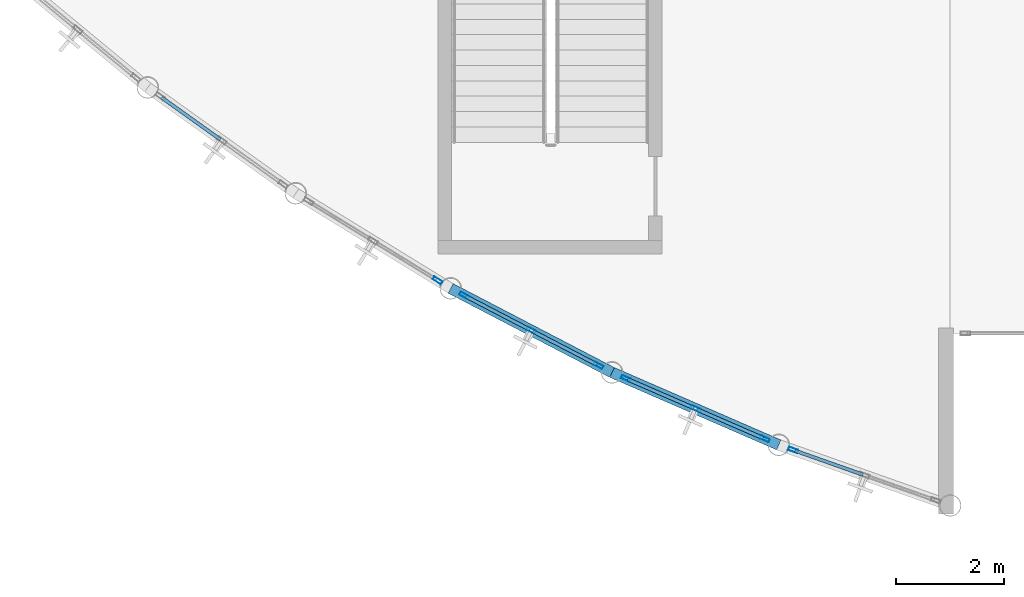
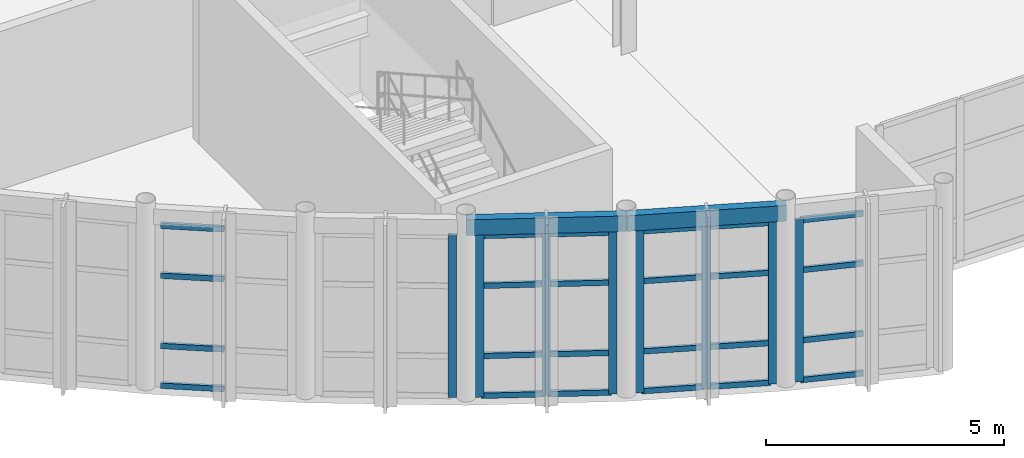
# One storey, part 18 of 105: 32 members, 2 beams, 5 elements without a shape of their own.
"""IFC4 building model written with IfcOpenShell, lengths in metres."""

from ifc_helpers import new_model, si_unit, direction, frame, origin, origin_2d, place, context, subcontext, project, spatial, hollow_rectangle, extrude, material, layer, layer_set, material_profile, profile_set, type_object, element, aggregate, save


model = new_model("IFC4")

# Units and contexts
model_context = context("Model", 3, precision=1e-05, world=origin(), true_north=direction((0.0, 1.0)))
body_context = subcontext(model_context, "Body", "Model", "MODEL_VIEW")
ifc_project = project(units=[si_unit("LENGTHUNIT", "METRE"), si_unit("AREAUNIT", "SQUARE_METRE"), si_unit("VOLUMEUNIT", "CUBIC_METRE"), si_unit("PLANEANGLEUNIT", "RADIAN"), si_unit("MASSUNIT", "GRAM", prefix="KILO")], contexts=[model_context])

# Site, building, storey
site_placement = place(None, origin())
site = spatial("IfcSite", under=ifc_project, at=site_placement, CompositionType="ELEMENT")
building_placement = place(site_placement, origin())
building = spatial("IfcBuilding", under=site, at=building_placement, Name="Selat Folded Stagehouse", CompositionType="ELEMENT")
storey_placement = place(building_placement, frame((0.0, 0.0, 10.199951171875)))
storey = spatial("IfcBuildingStorey", under=building, at=storey_placement, Name="L02", CompositionType="ELEMENT", Elevation=10.199951171875)

# Curtain wall, member
ifc_material_1 = material(Name="Aluminium 6063-T6", Category="aluminium")
ifc_layer = layer(ifc_material_1, 0.199951171875)
ifc_layer_set = layer_set([ifc_layer], Name="Aluminium 6063-T6")
curtain_wall_type = type_object("IfcCurtainWallType", Name="CW-DRM-MID", PredefinedType="NOTDEFINED", material=ifc_layer_set)
curtain_wall_1_placement = place(storey_placement, origin())
curtain_wall_1 = element("IfcCurtainWall", 1, at=curtain_wall_1_placement, inside=storey, type_object=curtain_wall_type, Name="L02 curtain wall CW-DRM-L02-16", PredefinedType="NOTDEFINED")
ifc_material_profile_1 = material_profile(ifc_material_1, hollow_rectangle(XDim=0.06494140625, YDim=0.179931640625, WallThickness=0.00390625, at=origin_2d()), Name="ALU 180x65x4.0")
ifc_profile_set_1 = profile_set([ifc_material_profile_1], Name="Aluminium 6063-T6")
member_type_1 = type_object("IfcMemberType", Name="CWM-MUL-180x65", PredefinedType="MULLION", material=ifc_profile_set_1)
member_1_placement = place(storey_placement, frame((24.10498046875, 6.380859375, 0.0), z_axis=(0.0, 0.0, 1.0), x_axis=(-0.523025427755, -0.852317078277, 0.0)))
member_1 = element("IfcMember", 2, at=member_1_placement, type_object=member_type_1, Name="CW-02 mullion 1", PredefinedType="MULLION", context=body_context, shape_type="SweptSolid", body=[
    extrude(hollow_rectangle(XDim=0.06494140625, YDim=0.179931640625, WallThickness=0.00390625, at=origin_2d()), origin(), (0.0, 0.0, 1.0), 4.16015625),
])
aggregate(curtain_wall_1, [member_1])

# Curtain wall, members
curtain_wall_2_placement = place(storey_placement, origin())
curtain_wall_2 = element("IfcCurtainWall", 3, at=curtain_wall_2_placement, inside=storey, type_object=curtain_wall_type, Name="L02 curtain wall CW-DRM-L02-17", PredefinedType="NOTDEFINED")
member_2_placement = place(storey_placement, frame((27.083251953125, 4.80712890625, 0.0), z_axis=(0.0, 0.0, 1.0), x_axis=(-0.461930991659, -0.886915869147, 0.0)))
member_2 = element("IfcMember", 4, at=member_2_placement, type_object=member_type_1, Name="CW-02 mullion 1", PredefinedType="MULLION", context=body_context, shape_type="SweptSolid", body=[
    extrude(hollow_rectangle(XDim=0.06494140625, YDim=0.179931640625, WallThickness=0.00390625, at=origin_2d()), origin(), (0.0, 0.0, 1.0), 4.16015625),
])
member_3_placement = place(storey_placement, frame((25.83984375, 5.454833984375, 0.0), z_axis=(0.0, 0.0, 1.0), x_axis=(-0.461930991659, -0.886915869147, 0.0)))
member_3 = element("IfcMember", 5, at=member_3_placement, type_object=member_type_1, Name="CW-02 mullion 2", PredefinedType="MULLION", context=body_context, shape_type="SweptSolid", body=[
    extrude(hollow_rectangle(XDim=0.06494140625, YDim=0.179931640625, WallThickness=0.00390625, at=origin_2d()), origin(), (0.0, 0.0, 1.0), 4.16015625),
])
member_4_placement = place(storey_placement, frame((24.596435546875, 6.1025390625, 0.0), z_axis=(0.0, 0.0, 1.0), x_axis=(-0.461930991659, -0.886915869147, 0.0)))
member_4 = element("IfcMember", 6, at=member_4_placement, type_object=member_type_1, Name="CW-02 mullion 3", PredefinedType="MULLION", context=body_context, shape_type="SweptSolid", body=[
    extrude(hollow_rectangle(XDim=0.06494140625, YDim=0.179931640625, WallThickness=0.00390625, at=origin_2d()), origin(), (0.0, 0.0, 1.0), 4.16015625),
])

curtain_wall_3_placement = place(storey_placement, origin())
curtain_wall_3 = element("IfcCurtainWall", 7, at=curtain_wall_3_placement, inside=storey, type_object=curtain_wall_type, Name="L02 curtain wall CW-DRM-L02-18", PredefinedType="NOTDEFINED")
member_5_placement = place(storey_placement, frame((30.16455078125, 3.446533203125, 0.0), z_axis=(0.0, 0.0, 1.0), x_axis=(-0.39857953336, -0.917133771915, 0.0)))
member_5 = element("IfcMember", 8, at=member_5_placement, type_object=member_type_1, Name="CW-02 mullion 1", PredefinedType="MULLION", context=body_context, shape_type="SweptSolid", body=[
    extrude(hollow_rectangle(XDim=0.06494140625, YDim=0.179931640625, WallThickness=0.00390625, at=origin_2d()), origin(), (0.0, 0.0, 1.0), 4.16015625),
])
member_6_placement = place(storey_placement, frame((28.878662109375, 4.00537109375, 0.0), z_axis=(0.0, 0.0, 1.0), x_axis=(-0.39857953336, -0.917133771915, 0.0)))
member_6 = element("IfcMember", 9, at=member_6_placement, type_object=member_type_1, Name="CW-02 mullion 2", PredefinedType="MULLION", context=body_context, shape_type="SweptSolid", body=[
    extrude(hollow_rectangle(XDim=0.06494140625, YDim=0.179931640625, WallThickness=0.00390625, at=origin_2d()), origin(), (0.0, 0.0, 1.0), 4.16015625),
])
member_7_placement = place(storey_placement, frame((27.593017578125, 4.56396484375, 0.0), z_axis=(0.0, 0.0, 1.0), x_axis=(-0.39857953336, -0.917133771915, 0.0)))
member_7 = element("IfcMember", 10, at=member_7_placement, type_object=member_type_1, Name="CW-02 mullion 3", PredefinedType="MULLION", context=body_context, shape_type="SweptSolid", body=[
    extrude(hollow_rectangle(XDim=0.06494140625, YDim=0.179931640625, WallThickness=0.00390625, at=origin_2d()), origin(), (0.0, 0.0, 1.0), 4.16015625),
])

# Curtain wall, member
curtain_wall_4_placement = place(storey_placement, origin())
curtain_wall_4 = element("IfcCurtainWall", 11, at=curtain_wall_4_placement, inside=storey, type_object=curtain_wall_type, Name="L02 curtain wall CW-DRM-L02-19", PredefinedType="NOTDEFINED")
member_8_placement = place(storey_placement, frame((30.68994140625, 3.23974609375, 0.0), z_axis=(0.0, 0.0, 1.0), x_axis=(-0.333314148838, -0.942815824106, 0.0)))
member_8 = element("IfcMember", 12, at=member_8_placement, type_object=member_type_1, Name="CW-02 mullion 3", PredefinedType="MULLION", context=body_context, shape_type="SweptSolid", body=[
    extrude(hollow_rectangle(XDim=0.06494140625, YDim=0.179931640625, WallThickness=0.00390625, at=origin_2d()), origin(), (0.0, 0.0, 1.0), 4.16015625),
])

# Curtain wall, members
curtain_wall_5_placement = place(storey_placement, origin())
curtain_wall_5 = element("IfcCurtainWall", 13, at=curtain_wall_5_placement, inside=storey, type_object=curtain_wall_type, Name="L02 curtain wall CW-DRM-L02-15", PredefinedType="NOTDEFINED")
ifc_material_profile_2 = material_profile(ifc_material_1, hollow_rectangle(XDim=0.06494140625, YDim=0.139892578125, WallThickness=0.00390625, at=origin_2d()), Name="ALU 140x65x4.0")
ifc_profile_set_2 = profile_set([ifc_material_profile_2], Name="Aluminium 6063-T6")
member_type_2 = type_object("IfcMemberType", Name="CWM-TRN-140x65", PredefinedType="USERDEFINED", material=ifc_profile_set_2)
member_9_placement = place(storey_placement, frame((20.07763671875, 8.99365234375, 0.032470703125), z_axis=(-0.813573030575, 0.581462745084, 0.0), x_axis=(-0.581462745084, -0.813573030575, 0.0)))
member_9 = element("IfcMember", 14, at=member_9_placement, type_object=member_type_2, Name="CW-02 transom 2.1", ObjectType="TRANSOM", PredefinedType="USERDEFINED", context=body_context, shape_type="SweptSolid", body=[
    extrude(hollow_rectangle(XDim=0.06494140625, YDim=0.139892578125, WallThickness=0.00390625, at=origin_2d()), origin(), (0.0, 0.0, 1.0), 1.3369140625),
])
member_10_placement = place(storey_placement, frame((20.07763671875, 8.99365234375, 1.050048828125), z_axis=(-0.813573030575, 0.581462745084, 0.0), x_axis=(-0.581462745084, -0.813573030575, 0.0)))
member_10 = element("IfcMember", 15, at=member_10_placement, type_object=member_type_2, Name="CW-02 transom 2.2", ObjectType="TRANSOM", PredefinedType="USERDEFINED", context=body_context, shape_type="SweptSolid", body=[
    extrude(hollow_rectangle(XDim=0.06494140625, YDim=0.139892578125, WallThickness=0.00390625, at=origin_2d()), origin(), (0.0, 0.0, 1.0), 1.3369140625),
])
member_11_placement = place(storey_placement, frame((20.07763671875, 8.99365234375, 2.85009765625), z_axis=(-0.813573030575, 0.581462745084, 0.0), x_axis=(-0.581462745084, -0.813573030575, 0.0)))
member_11 = element("IfcMember", 16, at=member_11_placement, type_object=member_type_2, Name="CW-02 transom 2.3", ObjectType="TRANSOM", PredefinedType="USERDEFINED", context=body_context, shape_type="SweptSolid", body=[
    extrude(hollow_rectangle(XDim=0.06494140625, YDim=0.139892578125, WallThickness=0.00390625, at=origin_2d()), origin(), (0.0, 0.0, 1.0), 1.3369140625),
])
member_12_placement = place(storey_placement, frame((20.07763671875, 8.99365234375, 4.12744140625), z_axis=(-0.813573030575, 0.581462745084, 0.0), x_axis=(-0.581462745084, -0.813573030575, 0.0)))
member_12 = element("IfcMember", 17, at=member_12_placement, type_object=member_type_2, Name="CW-02 transom 2.4", ObjectType="TRANSOM", PredefinedType="USERDEFINED", context=body_context, shape_type="SweptSolid", body=[
    extrude(hollow_rectangle(XDim=0.06494140625, YDim=0.139892578125, WallThickness=0.00390625, at=origin_2d()), origin(), (0.0, 0.0, 1.0), 1.3369140625),
])
aggregate(curtain_wall_5, [member_9, member_10, member_11, member_12])

# Member
member_13_placement = place(storey_placement, frame((27.054443359375, 4.822265625, 0.032470703125), z_axis=(-0.886890704679, 0.461979304681, 0.0), x_axis=(-0.461979304681, -0.886890704679, 0.0)))
member_13 = element("IfcMember", 18, at=member_13_placement, type_object=member_type_2, Name="CW-02 transom 1.1", ObjectType="TRANSOM", PredefinedType="USERDEFINED", context=body_context, shape_type="SweptSolid", body=[
    extrude(hollow_rectangle(XDim=0.06494140625, YDim=0.139892578125, WallThickness=0.00390625, at=origin_2d()), origin(), (0.0, 0.0, 1.0), 1.3369140625),
])

member_14_placement = place(storey_placement, frame((27.054443359375, 4.822265625, 1.050048828125), z_axis=(-0.886890704679, 0.461979304681, 0.0), x_axis=(-0.461979304681, -0.886890704679, 0.0)))
member_14 = element("IfcMember", 19, at=member_14_placement, type_object=member_type_2, Name="CW-02 transom 1.2", ObjectType="TRANSOM", PredefinedType="USERDEFINED", context=body_context, shape_type="SweptSolid", body=[
    extrude(hollow_rectangle(XDim=0.06494140625, YDim=0.139892578125, WallThickness=0.00390625, at=origin_2d()), origin(), (0.0, 0.0, 1.0), 1.3369140625),
])

member_15_placement = place(storey_placement, frame((27.054443359375, 4.822265625, 2.85009765625), z_axis=(-0.886890704679, 0.461979304681, 0.0), x_axis=(-0.461979304681, -0.886890704679, 0.0)))
member_15 = element("IfcMember", 20, at=member_15_placement, type_object=member_type_2, Name="CW-02 transom 1.3", ObjectType="TRANSOM", PredefinedType="USERDEFINED", context=body_context, shape_type="SweptSolid", body=[
    extrude(hollow_rectangle(XDim=0.06494140625, YDim=0.139892578125, WallThickness=0.00390625, at=origin_2d()), origin(), (0.0, 0.0, 1.0), 1.3369140625),
])

member_16_placement = place(storey_placement, frame((27.054443359375, 4.822265625, 4.12744140625), z_axis=(-0.886890704679, 0.461979304681, 0.0), x_axis=(-0.461979304681, -0.886890704679, 0.0)))
member_16 = element("IfcMember", 21, at=member_16_placement, type_object=member_type_2, Name="CW-02 transom 1.4", ObjectType="TRANSOM", PredefinedType="USERDEFINED", context=body_context, shape_type="SweptSolid", body=[
    extrude(hollow_rectangle(XDim=0.06494140625, YDim=0.139892578125, WallThickness=0.00390625, at=origin_2d()), origin(), (0.0, 0.0, 1.0), 1.3369140625),
])

member_17_placement = place(storey_placement, frame((25.81103515625, 5.469970703125, 0.032470703125), z_axis=(-0.886965515382, 0.461835657484, 0.0), x_axis=(-0.461835657484, -0.886965515382, 0.0)))
member_17 = element("IfcMember", 22, at=member_17_placement, type_object=member_type_2, Name="CW-02 transom 2.1", ObjectType="TRANSOM", PredefinedType="USERDEFINED", context=body_context, shape_type="SweptSolid", body=[
    extrude(hollow_rectangle(XDim=0.06494140625, YDim=0.139892578125, WallThickness=0.00390625, at=origin_2d()), origin(), (0.0, 0.0, 1.0), 1.3369140625),
])

member_18_placement = place(storey_placement, frame((25.81103515625, 5.469970703125, 1.050048828125), z_axis=(-0.886965515382, 0.461835657484, 0.0), x_axis=(-0.461835657484, -0.886965515382, 0.0)))
member_18 = element("IfcMember", 23, at=member_18_placement, type_object=member_type_2, Name="CW-02 transom 2.2", ObjectType="TRANSOM", PredefinedType="USERDEFINED", context=body_context, shape_type="SweptSolid", body=[
    extrude(hollow_rectangle(XDim=0.06494140625, YDim=0.139892578125, WallThickness=0.00390625, at=origin_2d()), origin(), (0.0, 0.0, 1.0), 1.3369140625),
])

member_19_placement = place(storey_placement, frame((25.81103515625, 5.469970703125, 2.85009765625), z_axis=(-0.886965515382, 0.461835657484, 0.0), x_axis=(-0.461835657484, -0.886965515382, 0.0)))
member_19 = element("IfcMember", 24, at=member_19_placement, type_object=member_type_2, Name="CW-02 transom 2.3", ObjectType="TRANSOM", PredefinedType="USERDEFINED", context=body_context, shape_type="SweptSolid", body=[
    extrude(hollow_rectangle(XDim=0.06494140625, YDim=0.139892578125, WallThickness=0.00390625, at=origin_2d()), origin(), (0.0, 0.0, 1.0), 1.3369140625),
])

member_20_placement = place(storey_placement, frame((25.81103515625, 5.469970703125, 4.12744140625), z_axis=(-0.886965515382, 0.461835657484, 0.0), x_axis=(-0.461835657484, -0.886965515382, 0.0)))
member_20 = element("IfcMember", 25, at=member_20_placement, type_object=member_type_2, Name="CW-02 transom 2.4", ObjectType="TRANSOM", PredefinedType="USERDEFINED", context=body_context, shape_type="SweptSolid", body=[
    extrude(hollow_rectangle(XDim=0.06494140625, YDim=0.139892578125, WallThickness=0.00390625, at=origin_2d()), origin(), (0.0, 0.0, 1.0), 1.3369140625),
])

aggregate(curtain_wall_2, [member_2, member_3, member_4, member_13, member_14, member_15, member_16, member_17, member_18, member_19, member_20])

member_21_placement = place(storey_placement, frame((30.134765625, 3.45947265625, 0.032470703125), z_axis=(-0.917197741819, 0.398432305922, 0.0), x_axis=(-0.398432305922, -0.917197741819, 0.0)))
member_21 = element("IfcMember", 26, at=member_21_placement, type_object=member_type_2, Name="CW-02 transom 1.1", ObjectType="TRANSOM", PredefinedType="USERDEFINED", context=body_context, shape_type="SweptSolid", body=[
    extrude(hollow_rectangle(XDim=0.06494140625, YDim=0.139892578125, WallThickness=0.00390625, at=origin_2d()), origin(), (0.0, 0.0, 1.0), 1.3369140625),
])

member_22_placement = place(storey_placement, frame((30.134765625, 3.45947265625, 1.050048828125), z_axis=(-0.917197741819, 0.398432305922, 0.0), x_axis=(-0.398432305922, -0.917197741819, 0.0)))
member_22 = element("IfcMember", 27, at=member_22_placement, type_object=member_type_2, Name="CW-02 transom 1.2", ObjectType="TRANSOM", PredefinedType="USERDEFINED", context=body_context, shape_type="SweptSolid", body=[
    extrude(hollow_rectangle(XDim=0.06494140625, YDim=0.139892578125, WallThickness=0.00390625, at=origin_2d()), origin(), (0.0, 0.0, 1.0), 1.3369140625),
])

member_23_placement = place(storey_placement, frame((30.134765625, 3.45947265625, 2.85009765625), z_axis=(-0.917197741819, 0.398432305922, 0.0), x_axis=(-0.398432305922, -0.917197741819, 0.0)))
member_23 = element("IfcMember", 28, at=member_23_placement, type_object=member_type_2, Name="CW-02 transom 1.3", ObjectType="TRANSOM", PredefinedType="USERDEFINED", context=body_context, shape_type="SweptSolid", body=[
    extrude(hollow_rectangle(XDim=0.06494140625, YDim=0.139892578125, WallThickness=0.00390625, at=origin_2d()), origin(), (0.0, 0.0, 1.0), 1.3369140625),
])

member_24_placement = place(storey_placement, frame((30.134765625, 3.45947265625, 4.12744140625), z_axis=(-0.917197741819, 0.398432305922, 0.0), x_axis=(-0.398432305922, -0.917197741819, 0.0)))
member_24 = element("IfcMember", 29, at=member_24_placement, type_object=member_type_2, Name="CW-02 transom 1.4", ObjectType="TRANSOM", PredefinedType="USERDEFINED", context=body_context, shape_type="SweptSolid", body=[
    extrude(hollow_rectangle(XDim=0.06494140625, YDim=0.139892578125, WallThickness=0.00390625, at=origin_2d()), origin(), (0.0, 0.0, 1.0), 1.3369140625),
])

member_25_placement = place(storey_placement, frame((28.848876953125, 4.018310546875, 0.032470703125), z_axis=(-0.91716874716, 0.398499045461, 0.0), x_axis=(-0.398499045461, -0.91716874716, 0.0)))
member_25 = element("IfcMember", 30, at=member_25_placement, type_object=member_type_2, Name="CW-02 transom 2.1", ObjectType="TRANSOM", PredefinedType="USERDEFINED", context=body_context, shape_type="SweptSolid", body=[
    extrude(hollow_rectangle(XDim=0.06494140625, YDim=0.139892578125, WallThickness=0.00390625, at=origin_2d()), origin(), (0.0, 0.0, 1.0), 1.3369140625),
])

member_26_placement = place(storey_placement, frame((28.848876953125, 4.018310546875, 1.050048828125), z_axis=(-0.91716874716, 0.398499045461, 0.0), x_axis=(-0.398499045461, -0.91716874716, 0.0)))
member_26 = element("IfcMember", 31, at=member_26_placement, type_object=member_type_2, Name="CW-02 transom 2.2", ObjectType="TRANSOM", PredefinedType="USERDEFINED", context=body_context, shape_type="SweptSolid", body=[
    extrude(hollow_rectangle(XDim=0.06494140625, YDim=0.139892578125, WallThickness=0.00390625, at=origin_2d()), origin(), (0.0, 0.0, 1.0), 1.3369140625),
])

member_27_placement = place(storey_placement, frame((28.848876953125, 4.018310546875, 2.85009765625), z_axis=(-0.91716874716, 0.398499045461, 0.0), x_axis=(-0.398499045461, -0.91716874716, 0.0)))
member_27 = element("IfcMember", 32, at=member_27_placement, type_object=member_type_2, Name="CW-02 transom 2.3", ObjectType="TRANSOM", PredefinedType="USERDEFINED", context=body_context, shape_type="SweptSolid", body=[
    extrude(hollow_rectangle(XDim=0.06494140625, YDim=0.139892578125, WallThickness=0.00390625, at=origin_2d()), origin(), (0.0, 0.0, 1.0), 1.3369140625),
])

member_28_placement = place(storey_placement, frame((28.848876953125, 4.018310546875, 4.12744140625), z_axis=(-0.91716874716, 0.398499045461, 0.0), x_axis=(-0.398499045461, -0.91716874716, 0.0)))
member_28 = element("IfcMember", 33, at=member_28_placement, type_object=member_type_2, Name="CW-02 transom 2.4", ObjectType="TRANSOM", PredefinedType="USERDEFINED", context=body_context, shape_type="SweptSolid", body=[
    extrude(hollow_rectangle(XDim=0.06494140625, YDim=0.139892578125, WallThickness=0.00390625, at=origin_2d()), origin(), (0.0, 0.0, 1.0), 1.3369140625),
])

aggregate(curtain_wall_3, [member_5, member_6, member_7, member_21, member_22, member_23, member_24, member_25, member_26, member_27, member_28])

member_29_placement = place(storey_placement, frame((31.981201171875, 2.783203125, 0.032470703125), z_axis=(-0.942831774674, 0.333269027461, 0.0), x_axis=(-0.333269027461, -0.942831774674, 0.0)))
member_29 = element("IfcMember", 34, at=member_29_placement, type_object=member_type_2, Name="CW-02 transom 2.1", ObjectType="TRANSOM", PredefinedType="USERDEFINED", context=body_context, shape_type="SweptSolid", body=[
    extrude(hollow_rectangle(XDim=0.06494140625, YDim=0.139892578125, WallThickness=0.00390625, at=origin_2d()), origin(), (0.0, 0.0, 1.0), 1.3369140625),
])

member_30_placement = place(storey_placement, frame((31.981201171875, 2.783203125, 1.050048828125), z_axis=(-0.942831774674, 0.333269027461, 0.0), x_axis=(-0.333269027461, -0.942831774674, 0.0)))
member_30 = element("IfcMember", 35, at=member_30_placement, type_object=member_type_2, Name="CW-02 transom 2.2", ObjectType="TRANSOM", PredefinedType="USERDEFINED", context=body_context, shape_type="SweptSolid", body=[
    extrude(hollow_rectangle(XDim=0.06494140625, YDim=0.139892578125, WallThickness=0.00390625, at=origin_2d()), origin(), (0.0, 0.0, 1.0), 1.3369140625),
])

member_31_placement = place(storey_placement, frame((31.981201171875, 2.783203125, 2.85009765625), z_axis=(-0.942831774674, 0.333269027461, 0.0), x_axis=(-0.333269027461, -0.942831774674, 0.0)))
member_31 = element("IfcMember", 36, at=member_31_placement, type_object=member_type_2, Name="CW-02 transom 2.3", ObjectType="TRANSOM", PredefinedType="USERDEFINED", context=body_context, shape_type="SweptSolid", body=[
    extrude(hollow_rectangle(XDim=0.06494140625, YDim=0.139892578125, WallThickness=0.00390625, at=origin_2d()), origin(), (0.0, 0.0, 1.0), 1.3369140625),
])

member_32_placement = place(storey_placement, frame((31.981201171875, 2.783203125, 4.12744140625), z_axis=(-0.942831774674, 0.333269027461, 0.0), x_axis=(-0.333269027461, -0.942831774674, 0.0)))
member_32 = element("IfcMember", 37, at=member_32_placement, type_object=member_type_2, Name="CW-02 transom 2.4", ObjectType="TRANSOM", PredefinedType="USERDEFINED", context=body_context, shape_type="SweptSolid", body=[
    extrude(hollow_rectangle(XDim=0.06494140625, YDim=0.139892578125, WallThickness=0.00390625, at=origin_2d()), origin(), (0.0, 0.0, 1.0), 1.3369140625),
])

aggregate(curtain_wall_4, [member_8, member_29, member_30, member_31, member_32])

# Beams
ifc_material_2 = material(Name="Steel S355", Category="steel")
ifc_material_profile_3 = material_profile(ifc_material_2, hollow_rectangle(XDim=0.199951171875, YDim=0.39990234375, WallThickness=0.012451171875, at=origin_2d()), Name="RHS 400x200x12.5")
ifc_profile_set_3 = profile_set([ifc_material_profile_3], Name="Steel S355")
beam_type = type_object("IfcBeamType", Name="SPD-EXT-400x200", PredefinedType="SPANDREL", material=ifc_profile_set_3)
beam_1_placement = place(storey_placement, frame((24.345703125, 6.23291015625, 4.400146484375), z_axis=(0.886928310017, -0.461907104179, 0.0), x_axis=(0.461907104179, 0.886928310017, 0.0)))
element("IfcBeam", 38, at=beam_1_placement, inside=storey, type_object=beam_type, Name="L02 curved drum spandrel beam 18", PredefinedType="SPANDREL", context=body_context, shape_type="SweptSolid", body=[
    extrude(hollow_rectangle(XDim=0.199951171875, YDim=0.39990234375, WallThickness=0.012451171875, at=origin_2d()), origin(), (0.0, 0.0, 1.0), 3.368896484375),
])
beam_2_placement = place(storey_placement, frame((27.333740234375, 4.6767578125, 4.400146484375), z_axis=(0.91711267728, -0.39862806872, 0.0), x_axis=(0.39862806872, 0.91711267728, 0.0)))
element("IfcBeam", 39, at=beam_2_placement, inside=storey, type_object=beam_type, Name="L02 curved drum spandrel beam 19", PredefinedType="SPANDREL", context=body_context, shape_type="SweptSolid", body=[
    extrude(hollow_rectangle(XDim=0.199951171875, YDim=0.39990234375, WallThickness=0.012451171875, at=origin_2d()), origin(), (0.0, 0.0, 1.0), 3.369140625),
])

save(model, "model.ifc")
